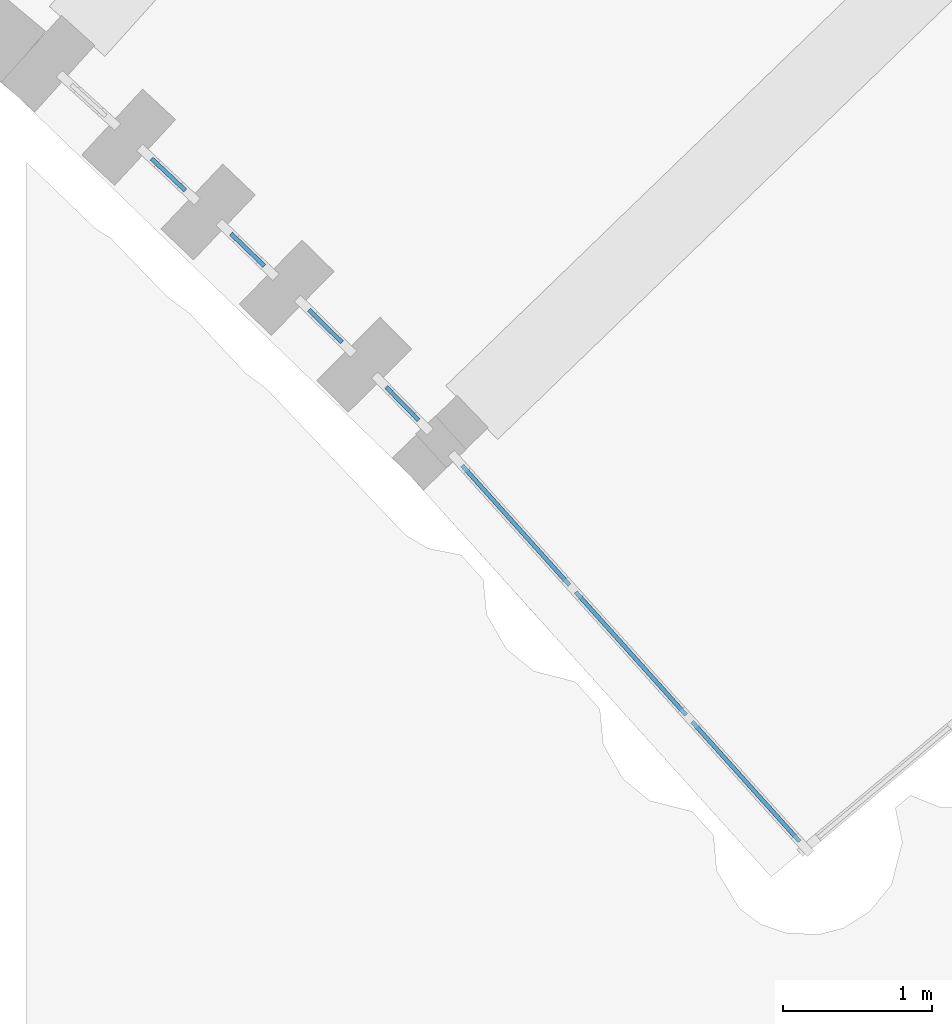
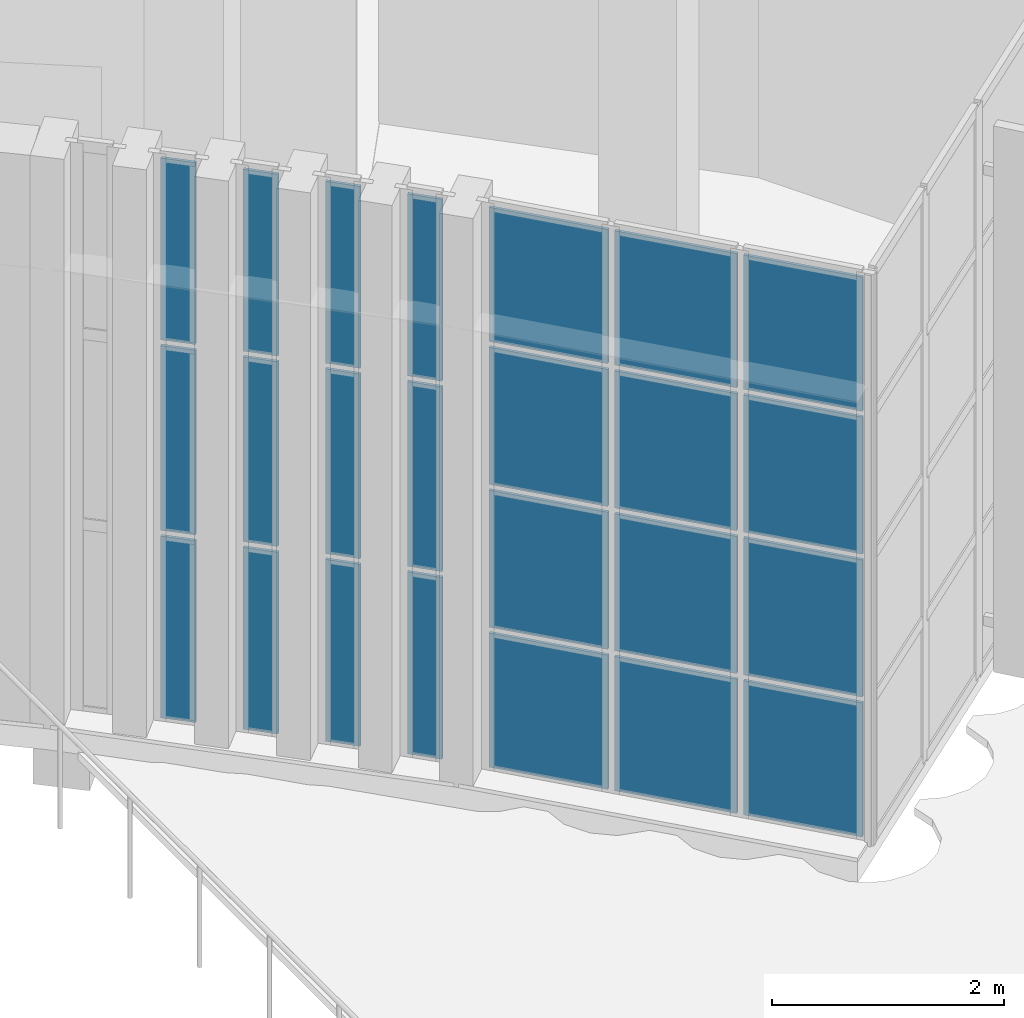
# One storey, part 75 of 155: 24 plates, 5 elements without a shape of their own.
"""IFC4 building model written with IfcOpenShell, lengths in metres."""

from ifc_helpers import new_model, si_unit, direction, frame, origin, origin_2d, place, context, subcontext, project, spatial, rectangle, extrude, material, layer, layer_set, type_object, element, aggregate, save


model = new_model("IFC4")

# Units and contexts
model_context = context("Model", 3, precision=1e-05, world=origin(), true_north=direction((0.0, 1.0)))
body_context = subcontext(model_context, "Body", "Model", "MODEL_VIEW")
ifc_project = project(units=[si_unit("LENGTHUNIT", "METRE"), si_unit("AREAUNIT", "SQUARE_METRE"), si_unit("VOLUMEUNIT", "CUBIC_METRE"), si_unit("PLANEANGLEUNIT", "RADIAN"), si_unit("MASSUNIT", "GRAM", prefix="KILO")], contexts=[model_context])

# Site, building, storey
site_placement = place(None, origin())
site = spatial("IfcSite", under=ifc_project, at=site_placement, CompositionType="ELEMENT")
building_placement = place(site_placement, origin())
building = spatial("IfcBuilding", under=site, at=building_placement, Name="Lunette Opera House", CompositionType="ELEMENT")
storey_placement = place(building_placement, origin())
storey = spatial("IfcBuildingStorey", under=building, at=storey_placement, Name="L00", CompositionType="ELEMENT", Elevation=0.0)

# Curtain wall, plates
ifc_material_1 = material(Name="Aluminium", Category="aluminium")
ifc_layer_1 = layer(ifc_material_1, 0.1201171875)
ifc_layer_set_1 = layer_set([ifc_layer_1], Name="Aluminium")
curtain_wall_type_1 = type_object("IfcCurtainWallType", Name="SLOT CURTAIN WALL", PredefinedType="NOTDEFINED", material=ifc_layer_set_1)
curtain_wall_1_placement = place(storey_placement, origin())
curtain_wall_1 = element("IfcCurtainWall", 1, at=curtain_wall_1_placement, inside=storey, type_object=curtain_wall_type_1, Name="Slot Curtain Wall CS077 L00", PredefinedType="NOTDEFINED")
ifc_material_2 = material(Name="Laminated glass", Category="glass")
ifc_layer_2 = layer(ifc_material_2, 0.028076171875)
ifc_layer_set_2 = layer_set([ifc_layer_2], Name="Laminated glass")
plate_type = type_object("IfcPlateType", Name="CURTAIN PANEL LAMINATED GLASS 28", PredefinedType="CURTAIN_PANEL", material=ifc_layer_set_2)
plate_1_placement = place(storey_placement, frame((131.801513671875, 38.12451171875, 0.06005859375), z_axis=(0.0, 0.0, 1.0), x_axis=(0.727722019527, -0.685872190933, 0.0)))
plate_1 = element("IfcPlate", 2, at=plate_1_placement, type_object=plate_type, Name="FC-X2153 panel 1.1", PredefinedType="CURTAIN_PANEL", context=body_context, shape_type="SweptSolid", body=[
    extrude(rectangle(XDim=0.31005859375, YDim=0.028076171875, at=origin_2d()), origin(), (0.0, 0.0, 1.0), 1.909912109375),
])
plate_2_placement = place(storey_placement, frame((131.801513671875, 38.12451171875, 2.030029296875), z_axis=(0.0, 0.0, 1.0), x_axis=(0.727722019527, -0.685872190933, 0.0)))
plate_2 = element("IfcPlate", 3, at=plate_2_placement, type_object=plate_type, Name="FC-X2153 panel 1.2", PredefinedType="CURTAIN_PANEL", context=body_context, shape_type="SweptSolid", body=[
    extrude(rectangle(XDim=0.31005859375, YDim=0.028076171875, at=origin_2d()), origin(), (0.0, 0.0, 1.0), 1.93994140625),
])
plate_3_placement = place(storey_placement, frame((131.801513671875, 38.12451171875, 4.0302734375), z_axis=(0.0, 0.0, 1.0), x_axis=(0.727722019527, -0.685872190933, 0.0)))
plate_3 = element("IfcPlate", 4, at=plate_3_placement, type_object=plate_type, Name="FC-X2153 panel 1.3", PredefinedType="CURTAIN_PANEL", context=body_context, shape_type="SweptSolid", body=[
    extrude(rectangle(XDim=0.31005859375, YDim=0.028076171875, at=origin_2d()), origin(), (0.0, 0.0, 1.0), 1.909912109375),
])
aggregate(curtain_wall_1, [plate_1, plate_2, plate_3])

curtain_wall_2_placement = place(storey_placement, origin())
curtain_wall_2 = element("IfcCurtainWall", 5, at=curtain_wall_2_placement, inside=storey, type_object=curtain_wall_type_1, Name="Slot Curtain Wall CS078 L00", PredefinedType="NOTDEFINED")
plate_4_placement = place(storey_placement, frame((132.33056640625, 37.62158203125, 0.06005859375), z_axis=(0.0, 0.0, 1.0), x_axis=(0.718639631775, -0.695382685751, 0.0)))
plate_4 = element("IfcPlate", 6, at=plate_4_placement, type_object=plate_type, Name="FC-X2155 panel 1.1", PredefinedType="CURTAIN_PANEL", context=body_context, shape_type="SweptSolid", body=[
    extrude(rectangle(XDim=0.31005859375, YDim=0.028076171875, at=origin_2d()), origin(), (0.0, 0.0, 1.0), 1.909912109375),
])
plate_5_placement = place(storey_placement, frame((132.33056640625, 37.62158203125, 2.030029296875), z_axis=(0.0, 0.0, 1.0), x_axis=(0.718639631775, -0.695382685751, 0.0)))
plate_5 = element("IfcPlate", 7, at=plate_5_placement, type_object=plate_type, Name="FC-X2155 panel 1.2", PredefinedType="CURTAIN_PANEL", context=body_context, shape_type="SweptSolid", body=[
    extrude(rectangle(XDim=0.31005859375, YDim=0.028076171875, at=origin_2d()), origin(), (0.0, 0.0, 1.0), 1.93994140625),
])
plate_6_placement = place(storey_placement, frame((132.33056640625, 37.62158203125, 4.0302734375), z_axis=(0.0, 0.0, 1.0), x_axis=(0.718639631775, -0.695382685751, 0.0)))
plate_6 = element("IfcPlate", 8, at=plate_6_placement, type_object=plate_type, Name="FC-X2155 panel 1.3", PredefinedType="CURTAIN_PANEL", context=body_context, shape_type="SweptSolid", body=[
    extrude(rectangle(XDim=0.31005859375, YDim=0.028076171875, at=origin_2d()), origin(), (0.0, 0.0, 1.0), 1.909912109375),
])
aggregate(curtain_wall_2, [plate_4, plate_5, plate_6])

curtain_wall_3_placement = place(storey_placement, origin())
curtain_wall_3 = element("IfcCurtainWall", 9, at=curtain_wall_3_placement, inside=storey, type_object=curtain_wall_type_1, Name="Slot Curtain Wall CS079 L00", PredefinedType="NOTDEFINED")
plate_7_placement = place(storey_placement, frame((132.85205078125, 37.110595703125, 0.06005859375), z_axis=(0.0, 0.0, 1.0), x_axis=(0.710581444194, -0.703614959454, 0.0)))
plate_7 = element("IfcPlate", 10, at=plate_7_placement, type_object=plate_type, Name="FC-X2157 panel 1.1", PredefinedType="CURTAIN_PANEL", context=body_context, shape_type="SweptSolid", body=[
    extrude(rectangle(XDim=0.310546875, YDim=0.028076171875, at=origin_2d()), origin(), (0.0, 0.0, 1.0), 1.909912109375),
])
plate_8_placement = place(storey_placement, frame((132.85205078125, 37.110595703125, 2.030029296875), z_axis=(0.0, 0.0, 1.0), x_axis=(0.710581444194, -0.703614959454, 0.0)))
plate_8 = element("IfcPlate", 11, at=plate_8_placement, type_object=plate_type, Name="FC-X2157 panel 1.2", PredefinedType="CURTAIN_PANEL", context=body_context, shape_type="SweptSolid", body=[
    extrude(rectangle(XDim=0.310546875, YDim=0.028076171875, at=origin_2d()), origin(), (0.0, 0.0, 1.0), 1.93994140625),
])
plate_9_placement = place(storey_placement, frame((132.85205078125, 37.110595703125, 4.0302734375), z_axis=(0.0, 0.0, 1.0), x_axis=(0.710581444194, -0.703614959454, 0.0)))
plate_9 = element("IfcPlate", 12, at=plate_9_placement, type_object=plate_type, Name="FC-X2157 panel 1.3", PredefinedType="CURTAIN_PANEL", context=body_context, shape_type="SweptSolid", body=[
    extrude(rectangle(XDim=0.310546875, YDim=0.028076171875, at=origin_2d()), origin(), (0.0, 0.0, 1.0), 1.909912109375),
])
aggregate(curtain_wall_3, [plate_7, plate_8, plate_9])

curtain_wall_4_placement = place(storey_placement, origin())
curtain_wall_4 = element("IfcCurtainWall", 13, at=curtain_wall_4_placement, inside=storey, type_object=curtain_wall_type_1, Name="Slot Curtain Wall CS080 L00", PredefinedType="NOTDEFINED")
plate_10_placement = place(storey_placement, frame((133.366455078125, 36.592041015625, 0.06005859375), z_axis=(0.0, 0.0, 1.0), x_axis=(0.698932947796, -0.715187202406, 0.0)))
plate_10 = element("IfcPlate", 14, at=plate_10_placement, type_object=plate_type, Name="FC-X2159 panel 1.1", PredefinedType="CURTAIN_PANEL", context=body_context, shape_type="SweptSolid", body=[
    extrude(rectangle(XDim=0.310546875, YDim=0.028076171875, at=origin_2d()), origin(), (0.0, 0.0, 1.0), 1.909912109375),
])
plate_11_placement = place(storey_placement, frame((133.366455078125, 36.592041015625, 2.030029296875), z_axis=(0.0, 0.0, 1.0), x_axis=(0.698932947796, -0.715187202406, 0.0)))
plate_11 = element("IfcPlate", 15, at=plate_11_placement, type_object=plate_type, Name="FC-X2159 panel 1.2", PredefinedType="CURTAIN_PANEL", context=body_context, shape_type="SweptSolid", body=[
    extrude(rectangle(XDim=0.310546875, YDim=0.028076171875, at=origin_2d()), origin(), (0.0, 0.0, 1.0), 1.93994140625),
])
plate_12_placement = place(storey_placement, frame((133.366455078125, 36.592041015625, 4.0302734375), z_axis=(0.0, 0.0, 1.0), x_axis=(0.698932947796, -0.715187202406, 0.0)))
plate_12 = element("IfcPlate", 16, at=plate_12_placement, type_object=plate_type, Name="FC-X2159 panel 1.3", PredefinedType="CURTAIN_PANEL", context=body_context, shape_type="SweptSolid", body=[
    extrude(rectangle(XDim=0.310546875, YDim=0.028076171875, at=origin_2d()), origin(), (0.0, 0.0, 1.0), 1.909912109375),
])
aggregate(curtain_wall_4, [plate_10, plate_11, plate_12])

ifc_material_3 = material(Name="Aluminium", Category="aluminium")
ifc_layer_3 = layer(ifc_material_3, 0.159912109375)
ifc_layer_set_3 = layer_set([ifc_layer_3], Name="Aluminium")
curtain_wall_type_2 = type_object("IfcCurtainWallType", Name="CORNER CURTAIN WALL", PredefinedType="NOTDEFINED", material=ifc_layer_set_3)
curtain_wall_5_placement = place(storey_placement, origin())
curtain_wall_5 = element("IfcCurtainWall", 17, at=curtain_wall_5_placement, inside=storey, type_object=curtain_wall_type_2, Name="Corner Curtain Wall GC-E1 L00", PredefinedType="NOTDEFINED")
plate_13_placement = place(storey_placement, frame((134.125732421875, 35.777587890625, 0.06005859375), z_axis=(0.0, 0.0, 1.0), x_axis=(0.667938143615, -0.744216793887, 0.0)))
plate_13 = element("IfcPlate", 18, at=plate_13_placement, type_object=plate_type, Name="FC-X2171 panel 1.1", PredefinedType="CURTAIN_PANEL", context=body_context, shape_type="SweptSolid", body=[
    extrude(rectangle(XDim=1.07666015625, YDim=0.028076171875, at=origin_2d()), origin(), (0.0, 0.0, 1.0), 1.409912109375),
])
plate_14_placement = place(storey_placement, frame((134.125732421875, 35.777587890625, 1.530029296875), z_axis=(0.0, 0.0, 1.0), x_axis=(0.667938143615, -0.744216793887, 0.0)))
plate_14 = element("IfcPlate", 19, at=plate_14_placement, type_object=plate_type, Name="FC-X2171 panel 1.2", PredefinedType="CURTAIN_PANEL", context=body_context, shape_type="SweptSolid", body=[
    extrude(rectangle(XDim=1.07666015625, YDim=0.028076171875, at=origin_2d()), origin(), (0.0, 0.0, 1.0), 1.43994140625),
])
plate_15_placement = place(storey_placement, frame((134.125732421875, 35.777587890625, 3.030029296875), z_axis=(0.0, 0.0, 1.0), x_axis=(0.667938143615, -0.744216793887, 0.0)))
plate_15 = element("IfcPlate", 20, at=plate_15_placement, type_object=plate_type, Name="FC-X2171 panel 1.3", PredefinedType="CURTAIN_PANEL", context=body_context, shape_type="SweptSolid", body=[
    extrude(rectangle(XDim=1.07666015625, YDim=0.028076171875, at=origin_2d()), origin(), (0.0, 0.0, 1.0), 1.43994140625),
])
plate_16_placement = place(storey_placement, frame((134.125732421875, 35.777587890625, 4.5302734375), z_axis=(0.0, 0.0, 1.0), x_axis=(0.667938143615, -0.744216793887, 0.0)))
plate_16 = element("IfcPlate", 21, at=plate_16_placement, type_object=plate_type, Name="FC-X2171 panel 1.4", PredefinedType="CURTAIN_PANEL", context=body_context, shape_type="SweptSolid", body=[
    extrude(rectangle(XDim=1.07666015625, YDim=0.028076171875, at=origin_2d()), origin(), (0.0, 0.0, 1.0), 1.409912109375),
])
plate_17_placement = place(storey_placement, frame((134.89501953125, 34.92041015625, 0.06005859375), z_axis=(0.0, 0.0, 1.0), x_axis=(0.667938143615, -0.744216793887, 0.0)))
plate_17 = element("IfcPlate", 22, at=plate_17_placement, type_object=plate_type, Name="FC-X2171 panel 2.1", PredefinedType="CURTAIN_PANEL", context=body_context, shape_type="SweptSolid", body=[
    extrude(rectangle(XDim=1.106689453125, YDim=0.028076171875, at=origin_2d()), origin(), (0.0, 0.0, 1.0), 1.409912109375),
])
plate_18_placement = place(storey_placement, frame((134.89501953125, 34.92041015625, 1.530029296875), z_axis=(0.0, 0.0, 1.0), x_axis=(0.667938143615, -0.744216793887, 0.0)))
plate_18 = element("IfcPlate", 23, at=plate_18_placement, type_object=plate_type, Name="FC-X2171 panel 2.2", PredefinedType="CURTAIN_PANEL", context=body_context, shape_type="SweptSolid", body=[
    extrude(rectangle(XDim=1.106689453125, YDim=0.028076171875, at=origin_2d()), origin(), (0.0, 0.0, 1.0), 1.43994140625),
])
plate_19_placement = place(storey_placement, frame((134.89501953125, 34.92041015625, 3.030029296875), z_axis=(0.0, 0.0, 1.0), x_axis=(0.667938143615, -0.744216793887, 0.0)))
plate_19 = element("IfcPlate", 24, at=plate_19_placement, type_object=plate_type, Name="FC-X2171 panel 2.3", PredefinedType="CURTAIN_PANEL", context=body_context, shape_type="SweptSolid", body=[
    extrude(rectangle(XDim=1.106689453125, YDim=0.028076171875, at=origin_2d()), origin(), (0.0, 0.0, 1.0), 1.43994140625),
])
plate_20_placement = place(storey_placement, frame((134.89501953125, 34.92041015625, 4.5302734375), z_axis=(0.0, 0.0, 1.0), x_axis=(0.667938143615, -0.744216793887, 0.0)))
plate_20 = element("IfcPlate", 25, at=plate_20_placement, type_object=plate_type, Name="FC-X2171 panel 2.4", PredefinedType="CURTAIN_PANEL", context=body_context, shape_type="SweptSolid", body=[
    extrude(rectangle(XDim=1.106689453125, YDim=0.028076171875, at=origin_2d()), origin(), (0.0, 0.0, 1.0), 1.409912109375),
])
plate_21_placement = place(storey_placement, frame((135.664306640625, 34.063232421875, 0.06005859375), z_axis=(0.0, 0.0, 1.0), x_axis=(0.667938143615, -0.744216793887, 0.0)))
plate_21 = element("IfcPlate", 26, at=plate_21_placement, type_object=plate_type, Name="FC-X2171 panel 3.1", PredefinedType="CURTAIN_PANEL", context=body_context, shape_type="SweptSolid", body=[
    extrude(rectangle(XDim=1.07666015625, YDim=0.028076171875, at=origin_2d()), origin(), (0.0, 0.0, 1.0), 1.409912109375),
])
plate_22_placement = place(storey_placement, frame((135.664306640625, 34.063232421875, 1.530029296875), z_axis=(0.0, 0.0, 1.0), x_axis=(0.667938143615, -0.744216793887, 0.0)))
plate_22 = element("IfcPlate", 27, at=plate_22_placement, type_object=plate_type, Name="FC-X2171 panel 3.2", PredefinedType="CURTAIN_PANEL", context=body_context, shape_type="SweptSolid", body=[
    extrude(rectangle(XDim=1.07666015625, YDim=0.028076171875, at=origin_2d()), origin(), (0.0, 0.0, 1.0), 1.43994140625),
])
plate_23_placement = place(storey_placement, frame((135.664306640625, 34.063232421875, 3.030029296875), z_axis=(0.0, 0.0, 1.0), x_axis=(0.667938143615, -0.744216793887, 0.0)))
plate_23 = element("IfcPlate", 28, at=plate_23_placement, type_object=plate_type, Name="FC-X2171 panel 3.3", PredefinedType="CURTAIN_PANEL", context=body_context, shape_type="SweptSolid", body=[
    extrude(rectangle(XDim=1.07666015625, YDim=0.028076171875, at=origin_2d()), origin(), (0.0, 0.0, 1.0), 1.43994140625),
])
plate_24_placement = place(storey_placement, frame((135.664306640625, 34.063232421875, 4.5302734375), z_axis=(0.0, 0.0, 1.0), x_axis=(0.667938143615, -0.744216793887, 0.0)))
plate_24 = element("IfcPlate", 29, at=plate_24_placement, type_object=plate_type, Name="FC-X2171 panel 3.4", PredefinedType="CURTAIN_PANEL", context=body_context, shape_type="SweptSolid", body=[
    extrude(rectangle(XDim=1.07666015625, YDim=0.028076171875, at=origin_2d()), origin(), (0.0, 0.0, 1.0), 1.409912109375),
])
aggregate(curtain_wall_5, [plate_13, plate_14, plate_15, plate_16, plate_17, plate_18, plate_19, plate_20, plate_21, plate_22, plate_23, plate_24])

save(model, "model.ifc")
